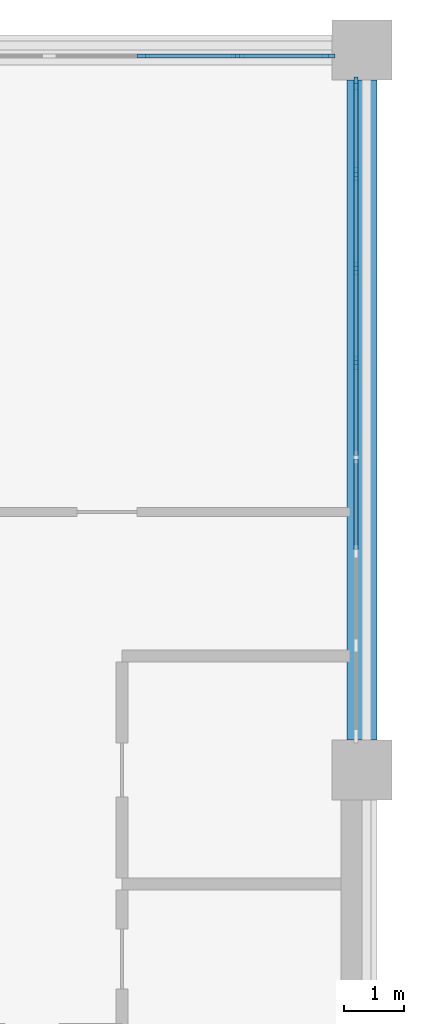
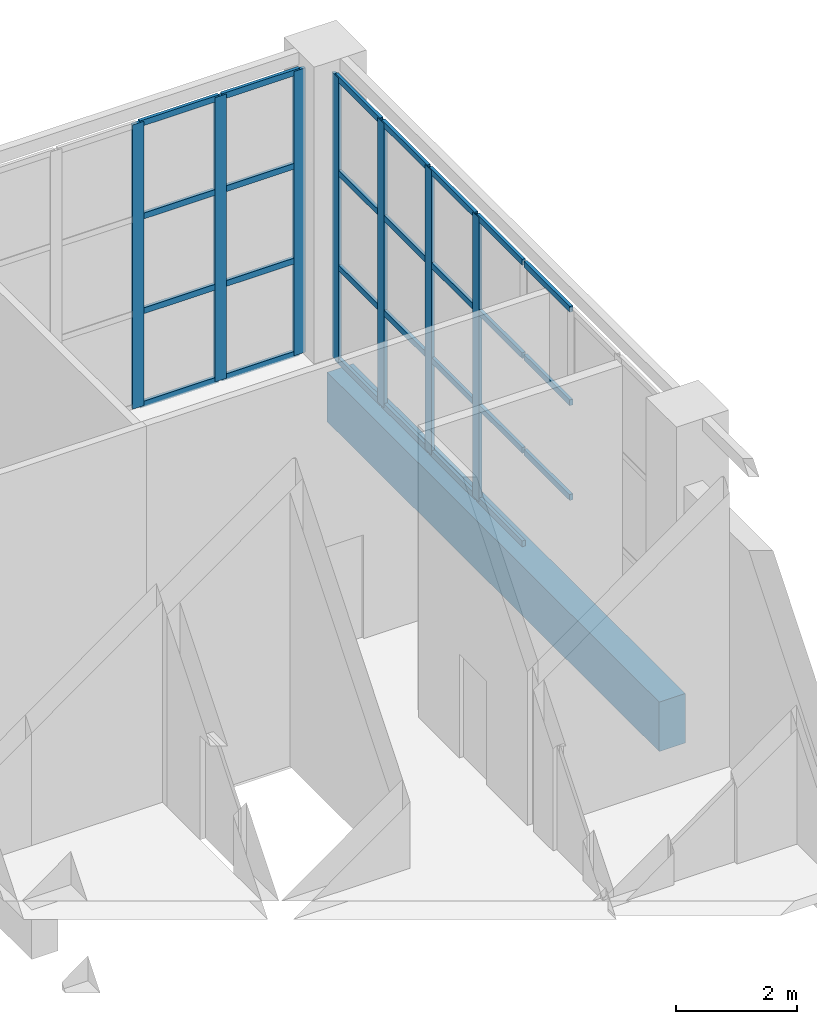
# One storey, part 39 of 72: 34 members, 1 beam, 2 elements without a shape of their own.
"""IFC4 building model written with IfcOpenShell, lengths in metres."""

from ifc_helpers import new_model, si_unit, direction, frame, origin, origin_2d, place, context, subcontext, project, spatial, rectangle, extrude, material, layer, layer_set, material_profile, profile_set, type_object, element, aggregate, save


model = new_model("IFC4")

# Units and contexts
model_context = context("Model", 3, precision=1e-05, world=origin(), true_north=direction((0.0, 1.0)))
body_context = subcontext(model_context, "Body", "Model", "MODEL_VIEW")
ifc_project = project(units=[si_unit("LENGTHUNIT", "METRE"), si_unit("AREAUNIT", "SQUARE_METRE"), si_unit("VOLUMEUNIT", "CUBIC_METRE"), si_unit("PLANEANGLEUNIT", "RADIAN"), si_unit("MASSUNIT", "GRAM", prefix="KILO")], contexts=[model_context])

# Site, building, storey
site_placement = place(None, origin())
site = spatial("IfcSite", under=ifc_project, at=site_placement, CompositionType="ELEMENT")
building_placement = place(site_placement, origin())
building = spatial("IfcBuilding", under=site, at=building_placement, Name="Lilac Gate Convention Centre", CompositionType="ELEMENT")
storey_placement = place(building_placement, frame((0.0, 0.0, 6.0)))
storey = spatial("IfcBuildingStorey", under=building, at=storey_placement, Name="L01", CompositionType="ELEMENT", Elevation=6.0)

# Curtain wall, members
ifc_material_1 = material(Name="Aluminium framed double glazing", Category="aluminium")
ifc_layer = layer(ifc_material_1, 0.199951171875)
ifc_layer_set = layer_set([ifc_layer], Name="Aluminium framed double glazing")
curtain_wall_type = type_object("IfcCurtainWallType", Name="Unitised curtain wall 1500", PredefinedType="NOTDEFINED", material=ifc_layer_set)
curtain_wall_1_placement = place(storey_placement, origin())
curtain_wall_1 = element("IfcCurtainWall", 1, at=curtain_wall_1_placement, inside=storey, type_object=curtain_wall_type, Name="Curtain wall E L01 2", PredefinedType="NOTDEFINED")
ifc_material_2 = material(Name="Aluminium alloy 6063", Category="aluminium")
ifc_material_profile_1 = material_profile(ifc_material_2, rectangle(XDim=0.06005859375, YDim=0.219970703125, at=origin_2d()), Name="Curtain wall mullion 60 x 220")
ifc_profile_set_1 = profile_set([ifc_material_profile_1], Name="Aluminium alloy 6063")
member_type_1 = type_object("IfcMemberType", Name="Curtain wall mullion 60 x 220", PredefinedType="MULLION", material=ifc_profile_set_1)
member_1_placement = place(storey_placement, frame((89.89990234375, 240.78564453125, 0.0), z_axis=(0.0, 0.0, 1.0), x_axis=(-1.0, 0.0, 0.0)))
member_1 = element("IfcMember", 2, at=member_1_placement, type_object=member_type_1, Name="CW mullion 5", PredefinedType="MULLION", context=body_context, shape_type="SweptSolid", body=[
    extrude(rectangle(XDim=0.06005859375, YDim=0.219970703125, at=origin_2d()), origin(), (0.0, 0.0, 1.0), 5.75),
])
member_2_placement = place(storey_placement, frame((89.89990234375, 242.357177734375, 0.0), z_axis=(0.0, 0.0, 1.0), x_axis=(-1.0, 0.0, 0.0)))
member_2 = element("IfcMember", 3, at=member_2_placement, type_object=member_type_1, Name="CW mullion 6", PredefinedType="MULLION", context=body_context, shape_type="SweptSolid", body=[
    extrude(rectangle(XDim=0.06005859375, YDim=0.219970703125, at=origin_2d()), origin(), (0.0, 0.0, 1.0), 5.75),
])
member_3_placement = place(storey_placement, frame((89.89990234375, 243.928466796875, 0.0), z_axis=(0.0, 0.0, 1.0), x_axis=(-1.0, 0.0, 0.0)))
member_3 = element("IfcMember", 4, at=member_3_placement, type_object=member_type_1, Name="CW mullion 7", PredefinedType="MULLION", context=body_context, shape_type="SweptSolid", body=[
    extrude(rectangle(XDim=0.06005859375, YDim=0.219970703125, at=origin_2d()), origin(), (0.0, 0.0, 1.0), 5.75),
])
member_4_placement = place(storey_placement, frame((89.89990234375, 245.43994140625, 0.0), z_axis=(0.0, 0.0, 1.0), x_axis=(-1.0, 0.0, 0.0)))
member_4 = element("IfcMember", 5, at=member_4_placement, type_object=member_type_1, Name="CW mullion 8", PredefinedType="MULLION", context=body_context, shape_type="SweptSolid", body=[
    extrude(rectangle(XDim=0.06005859375, YDim=0.219970703125, at=origin_2d()), origin(), (0.0, 0.0, 1.0), 5.75),
])

curtain_wall_2_placement = place(storey_placement, origin())
curtain_wall_2 = element("IfcCurtainWall", 6, at=curtain_wall_2_placement, inside=storey, type_object=curtain_wall_type, Name="Curtain wall N L01 1", PredefinedType="NOTDEFINED")
member_5_placement = place(storey_placement, frame((89.43994140625, 245.89990234375, 0.0), z_axis=(0.0, 0.0, 1.0), x_axis=(0.0, -1.0, 0.0)))
member_5 = element("IfcMember", 7, at=member_5_placement, type_object=member_type_1, Name="CW mullion 1", PredefinedType="MULLION", context=body_context, shape_type="SweptSolid", body=[
    extrude(rectangle(XDim=0.06005859375, YDim=0.219970703125, at=origin_2d()), origin(), (0.0, 0.0, 1.0), 5.75),
])
member_6_placement = place(storey_placement, frame((87.928466796875, 245.89990234375, 0.0), z_axis=(0.0, 0.0, 1.0), x_axis=(0.0, -1.0, 0.0)))
member_6 = element("IfcMember", 8, at=member_6_placement, type_object=member_type_1, Name="CW mullion 2", PredefinedType="MULLION", context=body_context, shape_type="SweptSolid", body=[
    extrude(rectangle(XDim=0.06005859375, YDim=0.219970703125, at=origin_2d()), origin(), (0.0, 0.0, 1.0), 5.75),
])
member_7_placement = place(storey_placement, frame((86.357177734375, 245.89990234375, 0.0), z_axis=(0.0, 0.0, 1.0), x_axis=(0.0, -1.0, 0.0)))
member_7 = element("IfcMember", 9, at=member_7_placement, type_object=member_type_1, Name="CW mullion 3", PredefinedType="MULLION", context=body_context, shape_type="SweptSolid", body=[
    extrude(rectangle(XDim=0.06005859375, YDim=0.219970703125, at=origin_2d()), origin(), (0.0, 0.0, 1.0), 5.75),
])

# Member
ifc_material_profile_2 = material_profile(ifc_material_2, rectangle(XDim=0.06005859375, YDim=0.1201171875, at=origin_2d()), Name="Curtain wall transom 60 x 120")
ifc_profile_set_2 = profile_set([ifc_material_profile_2], Name="Aluminium alloy 6063")
member_type_2 = type_object("IfcMemberType", Name="Curtain wall transom 60 x 120", PredefinedType="USERDEFINED", material=ifc_profile_set_2)
member_8_placement = place(storey_placement, frame((89.89990234375, 237.6728515625, 1.916748046875), z_axis=(0.0, 1.0, 0.0), x_axis=(-1.0, 0.0, 0.0)))
member_8 = element("IfcMember", 10, at=member_8_placement, type_object=member_type_2, Name="CW transom 3.2", ObjectType="TRANSOM", PredefinedType="USERDEFINED", context=body_context, shape_type="SweptSolid", body=[
    extrude(rectangle(XDim=0.06005859375, YDim=0.1201171875, at=origin_2d()), origin(), (0.0, 0.0, 1.0), 1.511474609375),
])

member_9_placement = place(storey_placement, frame((89.89990234375, 237.6728515625, 3.833251953125), z_axis=(0.0, 1.0, 0.0), x_axis=(-1.0, 0.0, 0.0)))
member_9 = element("IfcMember", 11, at=member_9_placement, type_object=member_type_2, Name="CW transom 3.3", ObjectType="TRANSOM", PredefinedType="USERDEFINED", context=body_context, shape_type="SweptSolid", body=[
    extrude(rectangle(XDim=0.06005859375, YDim=0.1201171875, at=origin_2d()), origin(), (0.0, 0.0, 1.0), 1.511474609375),
])

member_10_placement = place(storey_placement, frame((89.89990234375, 237.6728515625, 5.719970703125), z_axis=(0.0, 1.0, 0.0), x_axis=(-1.0, 0.0, 0.0)))
member_10 = element("IfcMember", 12, at=member_10_placement, type_object=member_type_2, Name="CW transom 3.4", ObjectType="TRANSOM", PredefinedType="USERDEFINED", context=body_context, shape_type="SweptSolid", body=[
    extrude(rectangle(XDim=0.06005859375, YDim=0.1201171875, at=origin_2d()), origin(), (0.0, 0.0, 1.0), 1.511474609375),
])

member_11_placement = place(storey_placement, frame((89.89990234375, 239.244384765625, 0.030029296875), z_axis=(0.0, 1.0, 0.0), x_axis=(-1.0, 0.0, 0.0)))
member_11 = element("IfcMember", 13, at=member_11_placement, type_object=member_type_2, Name="CW transom 4.1", ObjectType="TRANSOM", PredefinedType="USERDEFINED", context=body_context, shape_type="SweptSolid", body=[
    extrude(rectangle(XDim=0.06005859375, YDim=0.1201171875, at=origin_2d()), origin(), (0.0, 0.0, 1.0), 1.51123046875),
])

member_12_placement = place(storey_placement, frame((89.89990234375, 239.244384765625, 1.916748046875), z_axis=(0.0, 1.0, 0.0), x_axis=(-1.0, 0.0, 0.0)))
member_12 = element("IfcMember", 14, at=member_12_placement, type_object=member_type_2, Name="CW transom 4.2", ObjectType="TRANSOM", PredefinedType="USERDEFINED", context=body_context, shape_type="SweptSolid", body=[
    extrude(rectangle(XDim=0.06005859375, YDim=0.1201171875, at=origin_2d()), origin(), (0.0, 0.0, 1.0), 1.51123046875),
])

member_13_placement = place(storey_placement, frame((89.89990234375, 239.244384765625, 3.833251953125), z_axis=(0.0, 1.0, 0.0), x_axis=(-1.0, 0.0, 0.0)))
member_13 = element("IfcMember", 15, at=member_13_placement, type_object=member_type_2, Name="CW transom 4.3", ObjectType="TRANSOM", PredefinedType="USERDEFINED", context=body_context, shape_type="SweptSolid", body=[
    extrude(rectangle(XDim=0.06005859375, YDim=0.1201171875, at=origin_2d()), origin(), (0.0, 0.0, 1.0), 1.51123046875),
])

member_14_placement = place(storey_placement, frame((89.89990234375, 239.244384765625, 5.719970703125), z_axis=(0.0, 1.0, 0.0), x_axis=(-1.0, 0.0, 0.0)))
member_14 = element("IfcMember", 16, at=member_14_placement, type_object=member_type_2, Name="CW transom 4.4", ObjectType="TRANSOM", PredefinedType="USERDEFINED", context=body_context, shape_type="SweptSolid", body=[
    extrude(rectangle(XDim=0.06005859375, YDim=0.1201171875, at=origin_2d()), origin(), (0.0, 0.0, 1.0), 1.51123046875),
])

member_15_placement = place(storey_placement, frame((89.89990234375, 240.815673828125, 0.030029296875), z_axis=(0.0, 1.0, 0.0), x_axis=(-1.0, 0.0, 0.0)))
member_15 = element("IfcMember", 17, at=member_15_placement, type_object=member_type_2, Name="CW transom 5.1", ObjectType="TRANSOM", PredefinedType="USERDEFINED", context=body_context, shape_type="SweptSolid", body=[
    extrude(rectangle(XDim=0.06005859375, YDim=0.1201171875, at=origin_2d()), origin(), (0.0, 0.0, 1.0), 1.511474609375),
])

member_16_placement = place(storey_placement, frame((89.89990234375, 240.815673828125, 1.916748046875), z_axis=(0.0, 1.0, 0.0), x_axis=(-1.0, 0.0, 0.0)))
member_16 = element("IfcMember", 18, at=member_16_placement, type_object=member_type_2, Name="CW transom 5.2", ObjectType="TRANSOM", PredefinedType="USERDEFINED", context=body_context, shape_type="SweptSolid", body=[
    extrude(rectangle(XDim=0.06005859375, YDim=0.1201171875, at=origin_2d()), origin(), (0.0, 0.0, 1.0), 1.511474609375),
])

member_17_placement = place(storey_placement, frame((89.89990234375, 240.815673828125, 3.833251953125), z_axis=(0.0, 1.0, 0.0), x_axis=(-1.0, 0.0, 0.0)))
member_17 = element("IfcMember", 19, at=member_17_placement, type_object=member_type_2, Name="CW transom 5.3", ObjectType="TRANSOM", PredefinedType="USERDEFINED", context=body_context, shape_type="SweptSolid", body=[
    extrude(rectangle(XDim=0.06005859375, YDim=0.1201171875, at=origin_2d()), origin(), (0.0, 0.0, 1.0), 1.511474609375),
])

member_18_placement = place(storey_placement, frame((89.89990234375, 240.815673828125, 5.719970703125), z_axis=(0.0, 1.0, 0.0), x_axis=(-1.0, 0.0, 0.0)))
member_18 = element("IfcMember", 20, at=member_18_placement, type_object=member_type_2, Name="CW transom 5.4", ObjectType="TRANSOM", PredefinedType="USERDEFINED", context=body_context, shape_type="SweptSolid", body=[
    extrude(rectangle(XDim=0.06005859375, YDim=0.1201171875, at=origin_2d()), origin(), (0.0, 0.0, 1.0), 1.511474609375),
])

member_19_placement = place(storey_placement, frame((89.89990234375, 242.38720703125, 0.030029296875), z_axis=(0.0, 1.0, 0.0), x_axis=(-1.0, 0.0, 0.0)))
member_19 = element("IfcMember", 21, at=member_19_placement, type_object=member_type_2, Name="CW transom 6.1", ObjectType="TRANSOM", PredefinedType="USERDEFINED", context=body_context, shape_type="SweptSolid", body=[
    extrude(rectangle(XDim=0.06005859375, YDim=0.1201171875, at=origin_2d()), origin(), (0.0, 0.0, 1.0), 1.511474609375),
])

member_20_placement = place(storey_placement, frame((89.89990234375, 242.38720703125, 1.916748046875), z_axis=(0.0, 1.0, 0.0), x_axis=(-1.0, 0.0, 0.0)))
member_20 = element("IfcMember", 22, at=member_20_placement, type_object=member_type_2, Name="CW transom 6.2", ObjectType="TRANSOM", PredefinedType="USERDEFINED", context=body_context, shape_type="SweptSolid", body=[
    extrude(rectangle(XDim=0.06005859375, YDim=0.1201171875, at=origin_2d()), origin(), (0.0, 0.0, 1.0), 1.511474609375),
])

member_21_placement = place(storey_placement, frame((89.89990234375, 242.38720703125, 3.833251953125), z_axis=(0.0, 1.0, 0.0), x_axis=(-1.0, 0.0, 0.0)))
member_21 = element("IfcMember", 23, at=member_21_placement, type_object=member_type_2, Name="CW transom 6.3", ObjectType="TRANSOM", PredefinedType="USERDEFINED", context=body_context, shape_type="SweptSolid", body=[
    extrude(rectangle(XDim=0.06005859375, YDim=0.1201171875, at=origin_2d()), origin(), (0.0, 0.0, 1.0), 1.511474609375),
])

member_22_placement = place(storey_placement, frame((89.89990234375, 242.38720703125, 5.719970703125), z_axis=(0.0, 1.0, 0.0), x_axis=(-1.0, 0.0, 0.0)))
member_22 = element("IfcMember", 24, at=member_22_placement, type_object=member_type_2, Name="CW transom 6.4", ObjectType="TRANSOM", PredefinedType="USERDEFINED", context=body_context, shape_type="SweptSolid", body=[
    extrude(rectangle(XDim=0.06005859375, YDim=0.1201171875, at=origin_2d()), origin(), (0.0, 0.0, 1.0), 1.511474609375),
])

member_23_placement = place(storey_placement, frame((89.89990234375, 243.95849609375, 0.030029296875), z_axis=(0.0, 1.0, 0.0), x_axis=(-1.0, 0.0, 0.0)))
member_23 = element("IfcMember", 25, at=member_23_placement, type_object=member_type_2, Name="CW transom 7.1", ObjectType="TRANSOM", PredefinedType="USERDEFINED", context=body_context, shape_type="SweptSolid", body=[
    extrude(rectangle(XDim=0.06005859375, YDim=0.1201171875, at=origin_2d()), origin(), (0.0, 0.0, 1.0), 1.4814453125),
])

member_24_placement = place(storey_placement, frame((89.89990234375, 243.95849609375, 1.916748046875), z_axis=(0.0, 1.0, 0.0), x_axis=(-1.0, 0.0, 0.0)))
member_24 = element("IfcMember", 26, at=member_24_placement, type_object=member_type_2, Name="CW transom 7.2", ObjectType="TRANSOM", PredefinedType="USERDEFINED", context=body_context, shape_type="SweptSolid", body=[
    extrude(rectangle(XDim=0.06005859375, YDim=0.1201171875, at=origin_2d()), origin(), (0.0, 0.0, 1.0), 1.4814453125),
])

member_25_placement = place(storey_placement, frame((89.89990234375, 243.95849609375, 3.833251953125), z_axis=(0.0, 1.0, 0.0), x_axis=(-1.0, 0.0, 0.0)))
member_25 = element("IfcMember", 27, at=member_25_placement, type_object=member_type_2, Name="CW transom 7.3", ObjectType="TRANSOM", PredefinedType="USERDEFINED", context=body_context, shape_type="SweptSolid", body=[
    extrude(rectangle(XDim=0.06005859375, YDim=0.1201171875, at=origin_2d()), origin(), (0.0, 0.0, 1.0), 1.4814453125),
])

member_26_placement = place(storey_placement, frame((89.89990234375, 243.95849609375, 5.719970703125), z_axis=(0.0, 1.0, 0.0), x_axis=(-1.0, 0.0, 0.0)))
member_26 = element("IfcMember", 28, at=member_26_placement, type_object=member_type_2, Name="CW transom 7.4", ObjectType="TRANSOM", PredefinedType="USERDEFINED", context=body_context, shape_type="SweptSolid", body=[
    extrude(rectangle(XDim=0.06005859375, YDim=0.1201171875, at=origin_2d()), origin(), (0.0, 0.0, 1.0), 1.4814453125),
])

aggregate(curtain_wall_1, [member_1, member_2, member_3, member_4, member_8, member_9, member_10, member_11, member_12, member_13, member_14, member_15, member_16, member_17, member_18, member_19, member_20, member_21, member_22, member_23, member_24, member_25, member_26])

member_27_placement = place(storey_placement, frame((89.43994140625, 245.89990234375, 0.030029296875), z_axis=(-1.0, 0.0, 0.0), x_axis=(0.0, -1.0, 0.0)))
member_27 = element("IfcMember", 29, at=member_27_placement, type_object=member_type_2, Name="CW transom 1.1", ObjectType="TRANSOM", PredefinedType="USERDEFINED", context=body_context, shape_type="SweptSolid", body=[
    extrude(rectangle(XDim=0.06005859375, YDim=0.1201171875, at=origin_2d()), origin(), (0.0, 0.0, 1.0), 1.4814453125),
])

member_28_placement = place(storey_placement, frame((89.43994140625, 245.89990234375, 1.916748046875), z_axis=(-1.0, 0.0, 0.0), x_axis=(0.0, -1.0, 0.0)))
member_28 = element("IfcMember", 30, at=member_28_placement, type_object=member_type_2, Name="CW transom 1.2", ObjectType="TRANSOM", PredefinedType="USERDEFINED", context=body_context, shape_type="SweptSolid", body=[
    extrude(rectangle(XDim=0.06005859375, YDim=0.1201171875, at=origin_2d()), origin(), (0.0, 0.0, 1.0), 1.4814453125),
])

member_29_placement = place(storey_placement, frame((89.43994140625, 245.89990234375, 3.833251953125), z_axis=(-1.0, 0.0, 0.0), x_axis=(0.0, -1.0, 0.0)))
member_29 = element("IfcMember", 31, at=member_29_placement, type_object=member_type_2, Name="CW transom 1.3", ObjectType="TRANSOM", PredefinedType="USERDEFINED", context=body_context, shape_type="SweptSolid", body=[
    extrude(rectangle(XDim=0.06005859375, YDim=0.1201171875, at=origin_2d()), origin(), (0.0, 0.0, 1.0), 1.4814453125),
])

member_30_placement = place(storey_placement, frame((89.43994140625, 245.89990234375, 5.719970703125), z_axis=(-1.0, 0.0, 0.0), x_axis=(0.0, -1.0, 0.0)))
member_30 = element("IfcMember", 32, at=member_30_placement, type_object=member_type_2, Name="CW transom 1.4", ObjectType="TRANSOM", PredefinedType="USERDEFINED", context=body_context, shape_type="SweptSolid", body=[
    extrude(rectangle(XDim=0.06005859375, YDim=0.1201171875, at=origin_2d()), origin(), (0.0, 0.0, 1.0), 1.4814453125),
])

member_31_placement = place(storey_placement, frame((87.898681640625, 245.89990234375, 0.030029296875), z_axis=(-1.0, 0.0, 0.0), x_axis=(0.0, -1.0, 0.0)))
member_31 = element("IfcMember", 33, at=member_31_placement, type_object=member_type_2, Name="CW transom 2.1", ObjectType="TRANSOM", PredefinedType="USERDEFINED", context=body_context, shape_type="SweptSolid", body=[
    extrude(rectangle(XDim=0.06005859375, YDim=0.1201171875, at=origin_2d()), origin(), (0.0, 0.0, 1.0), 1.511474609375),
])

member_32_placement = place(storey_placement, frame((87.898681640625, 245.89990234375, 1.916748046875), z_axis=(-1.0, 0.0, 0.0), x_axis=(0.0, -1.0, 0.0)))
member_32 = element("IfcMember", 34, at=member_32_placement, type_object=member_type_2, Name="CW transom 2.2", ObjectType="TRANSOM", PredefinedType="USERDEFINED", context=body_context, shape_type="SweptSolid", body=[
    extrude(rectangle(XDim=0.06005859375, YDim=0.1201171875, at=origin_2d()), origin(), (0.0, 0.0, 1.0), 1.511474609375),
])

member_33_placement = place(storey_placement, frame((87.898681640625, 245.89990234375, 3.833251953125), z_axis=(-1.0, 0.0, 0.0), x_axis=(0.0, -1.0, 0.0)))
member_33 = element("IfcMember", 35, at=member_33_placement, type_object=member_type_2, Name="CW transom 2.3", ObjectType="TRANSOM", PredefinedType="USERDEFINED", context=body_context, shape_type="SweptSolid", body=[
    extrude(rectangle(XDim=0.06005859375, YDim=0.1201171875, at=origin_2d()), origin(), (0.0, 0.0, 1.0), 1.511474609375),
])

member_34_placement = place(storey_placement, frame((87.898681640625, 245.89990234375, 5.719970703125), z_axis=(-1.0, 0.0, 0.0), x_axis=(0.0, -1.0, 0.0)))
member_34 = element("IfcMember", 36, at=member_34_placement, type_object=member_type_2, Name="CW transom 2.4", ObjectType="TRANSOM", PredefinedType="USERDEFINED", context=body_context, shape_type="SweptSolid", body=[
    extrude(rectangle(XDim=0.06005859375, YDim=0.1201171875, at=origin_2d()), origin(), (0.0, 0.0, 1.0), 1.511474609375),
])

aggregate(curtain_wall_2, [member_5, member_6, member_7, member_27, member_28, member_29, member_30, member_31, member_32, member_33, member_34])

# Beam
ifc_material_3 = material(Name="Concrete C40", Category="concrete")
ifc_material_profile_3 = material_profile(ifc_material_3, rectangle(XDim=0.5, YDim=1.0, at=origin_2d()), Name="RC 500x1000")
ifc_profile_set_3 = profile_set([ifc_material_profile_3], Name="Concrete C40")
beam_type = type_object("IfcBeamType", Name="Primary beam 500x1000 C40", PredefinedType="BEAM", material=ifc_profile_set_3)
beam_placement = place(storey_placement, frame((90.0, 234.5, -0.75), z_axis=(0.0, 1.0, 0.0), x_axis=(-1.0, 0.0, 0.0)))
element("IfcBeam", 37, at=beam_placement, inside=storey, type_object=beam_type, Name="RB1 L01 8/T-8/U", PredefinedType="BEAM", context=body_context, shape_type="SweptSolid", body=[
    extrude(rectangle(XDim=0.5, YDim=1.0, at=origin_2d()), origin(), (0.0, 0.0, 1.0), 11.0),
])

save(model, "model.ifc")
